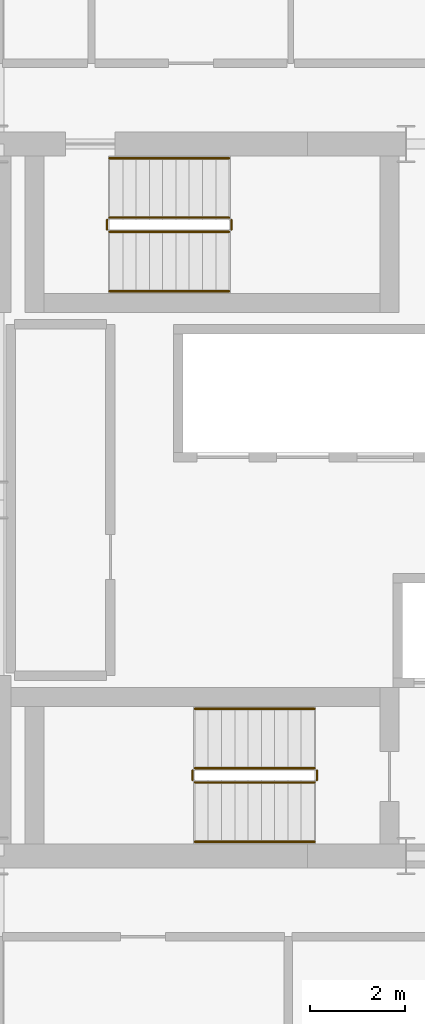
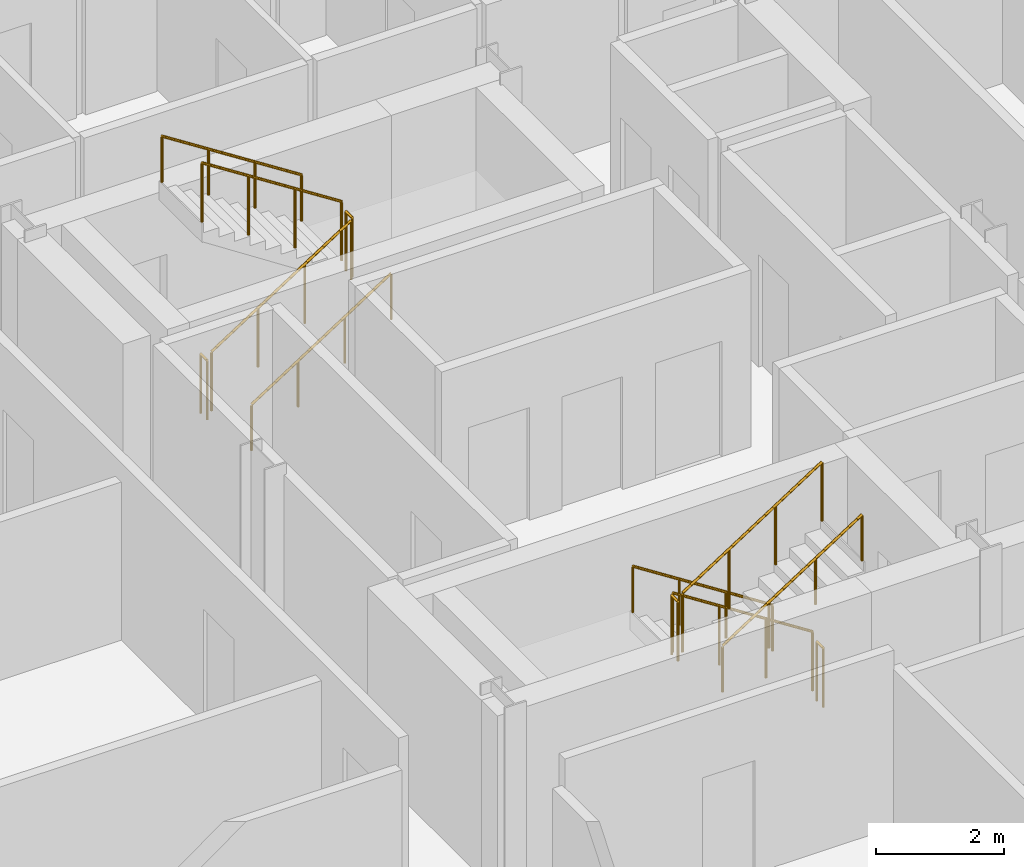
# One storey, part 23 of 24: 12 railings.
"""IFC4 building model written with IfcOpenShell, lengths in metres."""

import ifcopenshell
import ifcopenshell.guid

model = None  # the IFC model being written
_history = None  # IfcOwnerHistory: only IFC2X3 demands one
_inside = {}  # id of a spatial element -> (the spatial element, [elements in it])
_under = {}  # id of a project, library or spatial element -> (it, [spatial elements below it])
_declared = {}  # id of a project -> (the project, [libraries it declares])
_typed = {}  # id of a type object -> (the type object, [elements of that type])
_made_of = {}  # id of a material, layer set ... -> (it, [elements and type objects made of it])


def new_model(schema):
    """Start an empty IFC model of exactly this schema.

    Asked for "IFC4X3", IfcOpenShell would pick the latest addendum, in which some entities
    have other attributes; the version numbers below select the first issue.
    IFC2X3 requires an IfcOwnerHistory on every rooted entity: one is made here for all.
    """
    global model, _history
    if schema == "IFC4X3":
        model = ifcopenshell.file(schema_version=(4, 3, 0, 0))
    else:
        model = ifcopenshell.file(schema=schema)
    _inside.clear()
    _under.clear()
    _declared.clear()
    _typed.clear()
    _made_of.clear()
    _history = None
    if model.schema == "IFC2X3":
        org = make("IfcOrganization", Name="unknown")
        user = make(
            "IfcPersonAndOrganization",
            ThePerson=make("IfcPerson", FamilyName="unknown"),
            TheOrganization=org,
        )
        app = make(
            "IfcApplication",
            ApplicationDeveloper=org,
            Version="unknown",
            ApplicationFullName="unknown",
            ApplicationIdentifier="unknown",
        )
        _history = make(
            "IfcOwnerHistory",
            OwningUser=user,
            OwningApplication=app,
            ChangeAction="ADDED",
            CreationDate=0,
        )
    return model


def make(cls, **values):
    """One entity of the class cls with the attributes given. An attribute that is None is left unset."""
    return model.create_entity(
        cls, **{name: value for name, value in values.items() if value is not None}
    )


def rooted(cls, **values):
    """An entity with a GlobalId (a new one), such as an element, a storey or a relation."""
    return make(cls, GlobalId=ifcopenshell.guid.new(), OwnerHistory=_history, **values)


def si_unit(unit_type, name, prefix=None):
    """IfcSIUnit, for example si_unit("LENGTHUNIT", "METRE", prefix="MILLI")."""
    return make("IfcSIUnit", UnitType=unit_type, Prefix=prefix, Name=name)


def assignment(units):
    """IfcUnitAssignment: the units of a project."""
    return None if units is None else make("IfcUnitAssignment", Units=units)


def point(xyz):
    """IfcCartesianPoint."""
    return None if xyz is None else make("IfcCartesianPoint", Coordinates=xyz)


def direction(xyz):
    """IfcDirection."""
    return None if xyz is None else make("IfcDirection", DirectionRatios=xyz)


def frame(location, z_axis=None, x_axis=None):
    """IfcAxis2Placement3D, a coordinate frame: its origin and axes. An axis left out is left unset."""
    return make(
        "IfcAxis2Placement3D",
        Location=point(location),
        Axis=direction(z_axis),
        RefDirection=direction(x_axis),
    )


def frame_2d(location, x_axis=None):
    """IfcAxis2Placement2D, a coordinate frame in the plane: its origin and x axis."""
    return make(
        "IfcAxis2Placement2D", Location=point(location), RefDirection=direction(x_axis)
    )


def origin():
    """The frame at (0, 0, 0) with its axes left unset."""
    return frame((0.0, 0.0, 0.0))


def origin_2d():
    """The frame at (0, 0) in the plane with its x axis left unset."""
    return frame_2d((0.0, 0.0))


def place(relative_to, where):
    """IfcLocalPlacement: puts the frame where relative to a parent placement (None: the world)."""
    return make(
        "IfcLocalPlacement", PlacementRelTo=relative_to, RelativePlacement=where
    )


def context(
    kind, dimensions, precision=None, world=None, true_north=None, identifier=None
):
    """IfcGeometricRepresentationContext, for example the 3D "Model" context."""
    return make(
        "IfcGeometricRepresentationContext",
        ContextIdentifier=identifier,
        ContextType=kind,
        CoordinateSpaceDimension=dimensions,
        Precision=precision,
        WorldCoordinateSystem=world,
        TrueNorth=true_north,
    )


def subcontext(parent, identifier, kind, view, scale=None):
    """IfcGeometricRepresentationSubContext, for example "Body" below "Model"."""
    return make(
        "IfcGeometricRepresentationSubContext",
        ContextIdentifier=identifier,
        ContextType=kind,
        ParentContext=parent,
        TargetScale=scale,
        TargetView=view,
    )


def project(units=None, contexts=None):
    """IfcProject with its units and contexts."""
    return rooted(
        "IfcProject",
        Name="project",
        RepresentationContexts=contexts,
        UnitsInContext=assignment(units),
    )


def spatial(cls, under=None, at=None, **own):
    """A site, building, storey or space (cls), placed at a placement, below another one or the project."""
    s = rooted(cls, ObjectPlacement=at, **own)
    if under is not None:
        _under.setdefault(under.id(), (under, []))[1].append(s)
    return s


def profile(cls, at=None, kind="AREA", **sizes):
    """A parametric profile (cls). Its sizes go by their IFC names, for example OverallWidth=200.0."""
    return make(cls, ProfileType=kind, Position=at, **sizes)


def circle(**sizes):
    """IfcCircleProfileDef."""
    return profile("IfcCircleProfileDef", **sizes)


def extrude(swept, where, along, depth):
    """IfcExtrudedAreaSolid: the profile swept, set in the frame where, extruded along a direction by depth."""
    return make(
        "IfcExtrudedAreaSolid",
        SweptArea=swept,
        Position=where,
        ExtrudedDirection=direction(along),
        Depth=depth,
    )


def shape(context_of_items, identifier, shape_type, items):
    """IfcShapeRepresentation: the items that make up one representation, for example the "Body"."""
    return make(
        "IfcShapeRepresentation",
        ContextOfItems=context_of_items,
        RepresentationIdentifier=identifier,
        RepresentationType=shape_type,
        Items=items,
    )


def material(Name=None, Category=None):
    """IfcMaterial."""
    return make("IfcMaterial", Name=Name, Category=Category)


def made_of(thing, what):
    """Note that an element or type object is made of a material, layer set ...; save() writes the relation."""
    if what is not None:
        _made_of.setdefault(what.id(), (what, []))[1].append(thing)
    return thing


def type_object(cls, material=None, **own):
    """A type object (cls), such as IfcWallType, which elements share."""
    return made_of(rooted(cls, **own), material)


def element(
    cls,
    number,
    at=None,
    inside=None,
    cuts=None,
    type_object=None,
    material=None,
    context=None,
    identifier="Body",
    shape_type=None,
    held_by="IfcProductDefinitionShape",
    body=None,
    shapes=None,
    **own,
):
    """One element of the class cls, such as IfcWall. Its Tag is "e" and its number.

    at: its placement. inside: the storey or other place that contains it. cuts: it is an
    opening in that element (IfcRelVoidsElement). A single representation is given by context,
    identifier, shape_type and body (its items); several are given by shapes. held_by: the class
    of the entity that holds the representations. save() writes the other relations.
    """
    e = rooted(cls, Tag="e%d" % number, ObjectPlacement=at, **own)
    if body is not None:
        shapes = [shape(context, identifier, shape_type, body)]
    if shapes is not None:
        e.Representation = make(held_by, Representations=shapes)
    if inside is not None:
        _inside.setdefault(inside.id(), (inside, []))[1].append(e)
    if cuts is not None:
        rooted(
            "IfcRelVoidsElement", RelatingBuildingElement=cuts, RelatedOpeningElement=e
        )
    if type_object is not None:
        _typed.setdefault(type_object.id(), (type_object, []))[1].append(e)
    return made_of(e, material)


def aggregate(whole, parts):
    """IfcRelAggregates: a whole, such as a stair, and the parts it consists of."""
    return rooted("IfcRelAggregates", RelatingObject=whole, RelatedObjects=parts)


def save(model, path):
    """Write the relations noted so far, then the file.

    IfcRelAggregates (storeys below a building ...), IfcRelContainedInSpatialStructure (elements
    in a storey), IfcRelDefinesByType, IfcRelAssociatesMaterial and IfcRelDeclares: one each for
    every whole, place, type object, material and project.
    """
    for whole, parts in _under.values():
        aggregate(whole, parts)
    for where, things in _inside.values():
        rooted(
            "IfcRelContainedInSpatialStructure",
            RelatedElements=things,
            RelatingStructure=where,
        )
    for kind, things in _typed.values():
        rooted("IfcRelDefinesByType", RelatedObjects=things, RelatingType=kind)
    for what, things in _made_of.values():
        rooted("IfcRelAssociatesMaterial", RelatedObjects=things, RelatingMaterial=what)
    for by, libraries in _declared.values():
        rooted("IfcRelDeclares", RelatingContext=by, RelatedDefinitions=libraries)
    model.write(path)


model = new_model("IFC4")

# Units and contexts
model_context = context("Model", 3, precision=1e-05, world=origin(), true_north=direction((0.0, 1.0)))
body_context = subcontext(model_context, "Body", "Model", "MODEL_VIEW")
ifc_project = project(units=[si_unit("LENGTHUNIT", "METRE"), si_unit("AREAUNIT", "SQUARE_METRE"), si_unit("VOLUMEUNIT", "CUBIC_METRE"), si_unit("PLANEANGLEUNIT", "RADIAN"), si_unit("MASSUNIT", "GRAM", prefix="KILO")], contexts=[model_context])

# Site, building, storey
site_placement = place(None, origin())
site = spatial("IfcSite", under=ifc_project, at=site_placement, CompositionType="ELEMENT")
building_placement = place(site_placement, origin())
building = spatial("IfcBuilding", under=site, at=building_placement, Name="Barlavira Tower and Art Museum", CompositionType="ELEMENT")
storey_placement = place(building_placement, frame((0.0, 0.0, 283.5)))
storey = spatial("IfcBuildingStorey", under=building, at=storey_placement, Name="L74", CompositionType="ELEMENT", Elevation=283.5)

# Railings
ifc_material = material(Name="Brushed stainless steel", Category="steel")
railing_type_1 = type_object("IfcRailingType", Name="Interior Void and Landing Guard Railing 1150", PredefinedType="GUARDRAIL", material=ifc_material)
railing_1_placement = place(storey_placement, frame((0.14990234375, -5.64990234375, 0.179931640625)))
element("IfcRailing", 1, at=railing_1_placement, inside=storey, type_object=railing_type_1, Name="L74 ST-T1 stair guard 1", PredefinedType="GUARDRAIL", context=body_context, shape_type="SweptSolid", body=[
    extrude(circle(Radius=0.02392578125, at=origin_2d()), frame((0.0, 0.0, 1.1259765625), z_axis=(-0.841162588446, 0.0, 0.540782303519), x_axis=(0.0, -1.0, 0.0)), (0.0, 0.0, 1.0), 2.995849609375),
    extrude(circle(Radius=0.02099609375, at=origin_2d()), origin(), (0.0, 0.0, 1.0), 1.101806640625),
    extrude(circle(Radius=0.02099609375, at=origin_2d()), frame((-0.840087890625, 0.0, 0.5400390625)), (0.0, 0.0, 1.0), 1.101806640625),
    extrude(circle(Radius=0.02099609375, at=origin_2d()), frame((-1.679931640625, 0.0, 1.080078125)), (0.0, 0.0, 1.0), 1.101806640625),
    extrude(circle(Radius=0.02099609375, at=origin_2d()), frame((-2.52001953125, 0.0, 1.6201171875)), (0.0, 0.0, 1.0), 1.101806640625),
])
railing_2_placement = place(storey_placement, frame((-2.419921875, -5.699951171875, 1.800048828125)))
element("IfcRailing", 2, at=railing_2_placement, inside=storey, type_object=railing_type_1, Name="L74 ST-T1 stair guard 2", PredefinedType="GUARDRAIL", context=body_context, shape_type="SweptSolid", body=[
    extrude(circle(Radius=0.02392578125, at=origin_2d()), frame((0.0, 0.0, 1.1259765625), z_axis=(0.0, -1.0, 0.0), x_axis=(1.0, 0.0, 0.0)), (0.0, 0.0, 1.0), 0.199951171875),
    extrude(circle(Radius=0.02099609375, at=origin_2d()), origin(), (0.0, 0.0, 1.0), 1.101806640625),
    extrude(circle(Radius=0.02099609375, at=origin_2d()), frame((0.0, -0.199951171875, 0.0)), (0.0, 0.0, 1.0), 1.101806640625),
])
railing_3_placement = place(storey_placement, frame((-2.3701171875, -5.949951171875, 1.97998046875)))
element("IfcRailing", 3, at=railing_3_placement, inside=storey, type_object=railing_type_1, Name="L74 ST-T1 stair guard 3", PredefinedType="GUARDRAIL", context=body_context, shape_type="SweptSolid", body=[
    extrude(circle(Radius=0.02392578125, at=origin_2d()), frame((0.0, 0.0, 1.1259765625), z_axis=(0.841162588446, 0.0, 0.540782303519), x_axis=(0.0, 1.0, 0.0)), (0.0, 0.0, 1.0), 2.995849609375),
    extrude(circle(Radius=0.02099609375, at=origin_2d()), origin(), (0.0, 0.0, 1.0), 1.101806640625),
    extrude(circle(Radius=0.02099609375, at=origin_2d()), frame((0.840087890625, 0.0, 0.5400390625)), (0.0, 0.0, 1.0), 1.101806640625),
    extrude(circle(Radius=0.02099609375, at=origin_2d()), frame((1.679931640625, 0.0, 1.080078125)), (0.0, 0.0, 1.0), 1.101806640625),
    extrude(circle(Radius=0.02099609375, at=origin_2d()), frame((2.52001953125, 0.0, 1.6201171875)), (0.0, 0.0, 1.0), 1.101806640625),
])
railing_4_placement = place(storey_placement, frame((0.199951171875, -5.699951171875, 0.0)))
element("IfcRailing", 4, at=railing_4_placement, inside=storey, type_object=railing_type_1, Name="L74 ST-T1 stair guard 4", PredefinedType="GUARDRAIL", context=body_context, shape_type="SweptSolid", body=[
    extrude(circle(Radius=0.02392578125, at=origin_2d()), frame((0.0, 0.0, 1.1259765625), z_axis=(0.0, -1.0, 0.0), x_axis=(1.0, 0.0, 0.0)), (0.0, 0.0, 1.0), 0.199951171875),
    extrude(circle(Radius=0.02099609375, at=origin_2d()), origin(), (0.0, 0.0, 1.0), 1.101806640625),
    extrude(circle(Radius=0.02099609375, at=origin_2d()), frame((0.0, -0.199951171875, 0.0)), (0.0, 0.0, 1.0), 1.101806640625),
])
railing_5_placement = place(storey_placement, frame((-4.169921875, 5.64990234375, 0.179931640625)))
element("IfcRailing", 5, at=railing_5_placement, inside=storey, type_object=railing_type_1, Name="L74 ST-T2 stair guard 1", PredefinedType="GUARDRAIL", context=body_context, shape_type="SweptSolid", body=[
    extrude(circle(Radius=0.02392578125, at=origin_2d()), frame((0.0, 0.0, 1.1259765625), z_axis=(0.841162588446, 0.0, 0.540782303519), x_axis=(0.0, 1.0, 0.0)), (0.0, 0.0, 1.0), 2.995849609375),
    extrude(circle(Radius=0.02099609375, at=origin_2d()), origin(), (0.0, 0.0, 1.0), 1.101806640625),
    extrude(circle(Radius=0.02099609375, at=origin_2d()), frame((0.840087890625, 0.0, 0.5400390625)), (0.0, 0.0, 1.0), 1.101806640625),
    extrude(circle(Radius=0.02099609375, at=origin_2d()), frame((1.679931640625, 0.0, 1.080078125)), (0.0, 0.0, 1.0), 1.101806640625),
    extrude(circle(Radius=0.02099609375, at=origin_2d()), frame((2.52001953125, 0.0, 1.6201171875)), (0.0, 0.0, 1.0), 1.101806640625),
])
railing_6_placement = place(storey_placement, frame((-1.60009765625, 5.699951171875, 1.800048828125)))
element("IfcRailing", 6, at=railing_6_placement, inside=storey, type_object=railing_type_1, Name="L74 ST-T2 stair guard 2", PredefinedType="GUARDRAIL", context=body_context, shape_type="SweptSolid", body=[
    extrude(circle(Radius=0.02392578125, at=origin_2d()), frame((0.0, 0.0, 1.1259765625), z_axis=(0.0, 1.0, 0.0), x_axis=(-1.0, 0.0, 0.0)), (0.0, 0.0, 1.0), 0.199951171875),
    extrude(circle(Radius=0.02099609375, at=origin_2d()), origin(), (0.0, 0.0, 1.0), 1.101806640625),
    extrude(circle(Radius=0.02099609375, at=origin_2d()), frame((0.0, 0.199951171875, 0.0)), (0.0, 0.0, 1.0), 1.101806640625),
])
railing_7_placement = place(storey_placement, frame((-1.64990234375, 5.949951171875, 1.97998046875)))
element("IfcRailing", 7, at=railing_7_placement, inside=storey, type_object=railing_type_1, Name="L74 ST-T2 stair guard 3", PredefinedType="GUARDRAIL", context=body_context, shape_type="SweptSolid", body=[
    extrude(circle(Radius=0.02392578125, at=origin_2d()), frame((0.0, 0.0, 1.1259765625), z_axis=(-0.841162588446, 0.0, 0.540782303519), x_axis=(0.0, -1.0, 0.0)), (0.0, 0.0, 1.0), 2.995849609375),
    extrude(circle(Radius=0.02099609375, at=origin_2d()), origin(), (0.0, 0.0, 1.0), 1.101806640625),
    extrude(circle(Radius=0.02099609375, at=origin_2d()), frame((-0.840087890625, 0.0, 0.5400390625)), (0.0, 0.0, 1.0), 1.101806640625),
    extrude(circle(Radius=0.02099609375, at=origin_2d()), frame((-1.679931640625, 0.0, 1.080078125)), (0.0, 0.0, 1.0), 1.101806640625),
    extrude(circle(Radius=0.02099609375, at=origin_2d()), frame((-2.52001953125, 0.0, 1.6201171875)), (0.0, 0.0, 1.0), 1.101806640625),
])
railing_8_placement = place(storey_placement, frame((-4.219970703125, 5.699951171875, 0.0)))
element("IfcRailing", 8, at=railing_8_placement, inside=storey, type_object=railing_type_1, Name="L74 ST-T2 stair guard 4", PredefinedType="GUARDRAIL", context=body_context, shape_type="SweptSolid", body=[
    extrude(circle(Radius=0.02392578125, at=origin_2d()), frame((0.0, 0.0, 1.1259765625), z_axis=(0.0, 1.0, 0.0), x_axis=(-1.0, 0.0, 0.0)), (0.0, 0.0, 1.0), 0.199951171875),
    extrude(circle(Radius=0.02099609375, at=origin_2d()), origin(), (0.0, 0.0, 1.0), 1.101806640625),
    extrude(circle(Radius=0.02099609375, at=origin_2d()), frame((0.0, 0.199951171875, 0.0)), (0.0, 0.0, 1.0), 1.101806640625),
])
railing_type_2 = type_object("IfcRailingType", Name="Stair Pitch Tubular Steel Handrail 920", PredefinedType="HANDRAIL", material=ifc_material)
railing_9_placement = place(storey_placement, frame((0.14990234375, -4.39990234375, 0.179931640625)))
element("IfcRailing", 9, at=railing_9_placement, inside=storey, type_object=railing_type_2, Name="L74 ST-T1 stair handrail 1", PredefinedType="HANDRAIL", context=body_context, shape_type="SweptSolid", body=[
    extrude(circle(Radius=0.02392578125, at=origin_2d()), frame((0.0, 0.0, 0.8759765625), z_axis=(-0.841162588446, 0.0, 0.540782303519), x_axis=(0.0, -1.0, 0.0)), (0.0, 0.0, 1.0), 2.995849609375),
    extrude(circle(Radius=0.02099609375, at=origin_2d()), origin(), (0.0, 0.0, 1.0), 0.851806640625),
    extrude(circle(Radius=0.02099609375, at=origin_2d()), frame((-0.840087890625, 0.0, 0.5400390625)), (0.0, 0.0, 1.0), 0.851806640625),
    extrude(circle(Radius=0.02099609375, at=origin_2d()), frame((-1.679931640625, 0.0, 1.080078125)), (0.0, 0.0, 1.0), 0.851806640625),
    extrude(circle(Radius=0.02099609375, at=origin_2d()), frame((-2.52001953125, 0.0, 1.6201171875)), (0.0, 0.0, 1.0), 0.851806640625),
])
for number, where, name in (
    (10, (-2.3701171875, -7.199951171875, 1.97998046875), "L74 ST-T1 stair handrail 2"),
    (11, (-4.169921875, 4.39990234375, 0.179931640625), "L74 ST-T2 stair handrail 1"),
):
    element("IfcRailing", number, at=place(storey_placement, frame(where)), inside=storey, type_object=railing_type_2, Name=name, PredefinedType="HANDRAIL", context=body_context, shape_type="SweptSolid", body=[
        extrude(circle(Radius=0.02392578125, at=origin_2d()), frame((0.0, 0.0, 0.8759765625), z_axis=(0.841162588446, 0.0, 0.540782303519), x_axis=(0.0, 1.0, 0.0)), (0.0, 0.0, 1.0), 2.995849609375),
        extrude(circle(Radius=0.02099609375, at=origin_2d()), origin(), (0.0, 0.0, 1.0), 0.851806640625),
        extrude(circle(Radius=0.02099609375, at=origin_2d()), frame((0.840087890625, 0.0, 0.5400390625)), (0.0, 0.0, 1.0), 0.851806640625),
        extrude(circle(Radius=0.02099609375, at=origin_2d()), frame((1.679931640625, 0.0, 1.080078125)), (0.0, 0.0, 1.0), 0.851806640625),
        extrude(circle(Radius=0.02099609375, at=origin_2d()), frame((2.52001953125, 0.0, 1.6201171875)), (0.0, 0.0, 1.0), 0.851806640625),
    ])
railing_10_placement = place(storey_placement, frame((-1.64990234375, 7.199951171875, 1.97998046875)))
element("IfcRailing", 12, at=railing_10_placement, inside=storey, type_object=railing_type_2, Name="L74 ST-T2 stair handrail 2", PredefinedType="HANDRAIL", context=body_context, shape_type="SweptSolid", body=[
    extrude(circle(Radius=0.02392578125, at=origin_2d()), frame((0.0, 0.0, 0.8759765625), z_axis=(-0.841162588446, 0.0, 0.540782303519), x_axis=(0.0, -1.0, 0.0)), (0.0, 0.0, 1.0), 2.995849609375),
    extrude(circle(Radius=0.02099609375, at=origin_2d()), origin(), (0.0, 0.0, 1.0), 0.851806640625),
    extrude(circle(Radius=0.02099609375, at=origin_2d()), frame((-0.840087890625, 0.0, 0.5400390625)), (0.0, 0.0, 1.0), 0.851806640625),
    extrude(circle(Radius=0.02099609375, at=origin_2d()), frame((-1.679931640625, 0.0, 1.080078125)), (0.0, 0.0, 1.0), 0.851806640625),
    extrude(circle(Radius=0.02099609375, at=origin_2d()), frame((-2.52001953125, 0.0, 1.6201171875)), (0.0, 0.0, 1.0), 0.851806640625),
])

save(model, "model.ifc")
